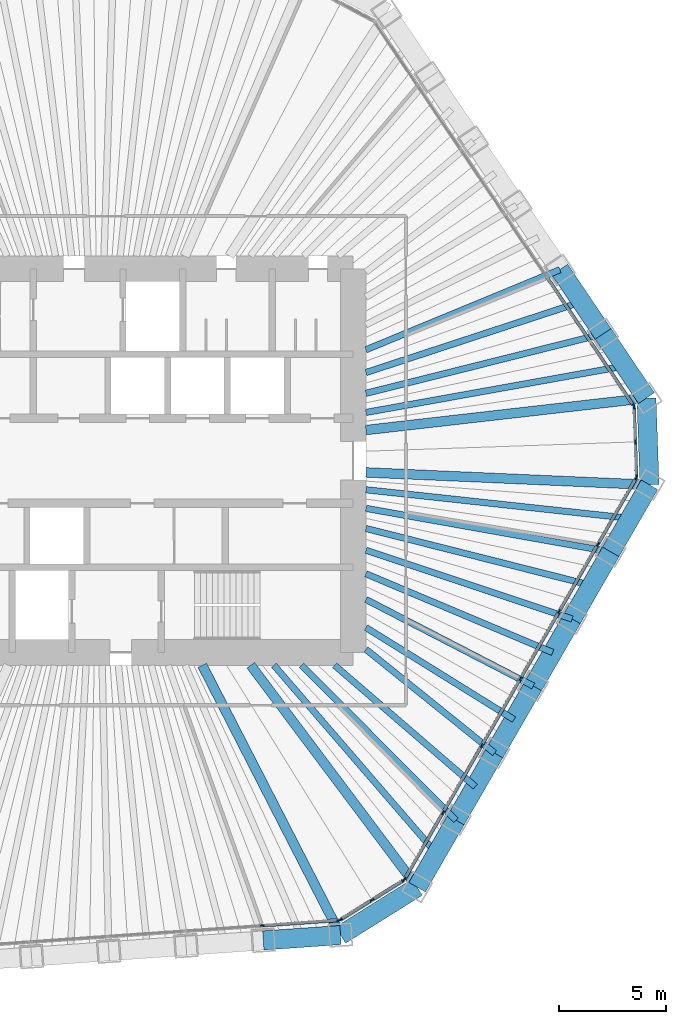
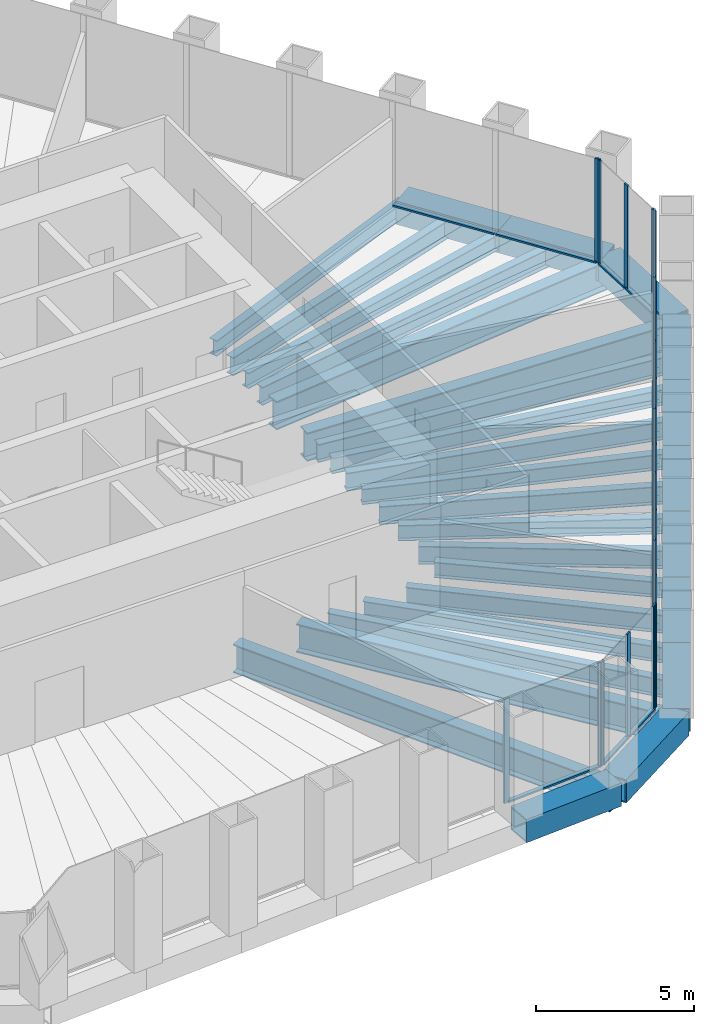
# One storey, part 4 of 13: 30 beams, 29 members, 5 elements without a shape of their own.
"""IFC4 building model written with IfcOpenShell, lengths in metres."""

from ifc_helpers import new_model, si_unit, direction, frame, origin, origin_2d, place, context, subcontext, project, spatial, rectangle, hollow_rectangle, i_section, extrude, material, material_profile, profile_set, type_object, element, aggregate, save


model = new_model("IFC4")

# Units and contexts
model_context = context("Model", 3, precision=1e-05, world=origin(), true_north=direction((0.0, 1.0)))
body_context = subcontext(model_context, "Body", "Model", "MODEL_VIEW")
ifc_project = project(units=[si_unit("LENGTHUNIT", "METRE"), si_unit("AREAUNIT", "SQUARE_METRE"), si_unit("VOLUMEUNIT", "CUBIC_METRE"), si_unit("PLANEANGLEUNIT", "RADIAN"), si_unit("MASSUNIT", "GRAM", prefix="KILO")], contexts=[model_context])

# Site, building, storey
site_placement = place(None, origin())
site = spatial("IfcSite", under=ifc_project, at=site_placement, CompositionType="ELEMENT")
building_placement = place(site_placement, origin())
building = spatial("IfcBuilding", under=site, at=building_placement, Name="Qingtian Harvest Tower", CompositionType="ELEMENT")
storey_placement = place(building_placement, frame((0.0, 0.0, 188.800048828125)))
storey = spatial("IfcBuildingStorey", under=building, at=storey_placement, Name="L40", CompositionType="ELEMENT", Elevation=188.800048828125)

# Beams
ifc_material_1 = material(Name="Steel SM570MC", Category="steel")
ifc_material_profile_1 = material_profile(ifc_material_1, i_section(OverallWidth=0.449951171875, OverallDepth=1.10009765625, WebThickness=0.02197265625, FlangeThickness=0.044921875, at=origin_2d()), Name="H1100x450x22x45")
ifc_profile_set_1 = profile_set([ifc_material_profile_1], Name="Steel SM570MC")
beam_type_1 = type_object("IfcBeamType", Name="Corner floor beam FB8 H1100x450x22x45", PredefinedType="BEAM", material=ifc_profile_set_1)
beam_1_placement = place(storey_placement, frame((25.762451171875, 2.936279296875, -0.719970703125), z_axis=(-0.993566901619, -0.113246686522, 0.0), x_axis=(0.113246686522, -0.993566901619, 0.0)))
element("IfcBeam", 1, at=beam_1_placement, inside=storey, type_object=beam_type_1, Name="Floor beam FB8 NE6", PredefinedType="BEAM", context=body_context, shape_type="SweptSolid", body=[
    extrude(i_section(OverallWidth=0.449951171875, OverallDepth=1.10009765625, WebThickness=0.02197265625, FlangeThickness=0.044921875, at=origin_2d()), origin(), (0.0, 0.0, 1.0), 13.24755859375),
])
beam_2_placement = place(storey_placement, frame((25.904541015625, -1.1318359375, -0.719970703125), z_axis=(-0.999046865424, 0.043650437408, 0.0), x_axis=(-0.043650437408, -0.999046865424, 0.0)))
element("IfcBeam", 2, at=beam_2_placement, inside=storey, type_object=beam_type_1, Name="Floor beam FB8 SE0", PredefinedType="BEAM", context=body_context, shape_type="SweptSolid", body=[
    extrude(i_section(OverallWidth=0.449951171875, OverallDepth=1.10009765625, WebThickness=0.02197265625, FlangeThickness=0.044921875, at=origin_2d()), origin(), (0.0, 0.0, 1.0), 13.317138671875),
])
beam_3_placement = place(storey_placement, frame((15.00390625, -20.012451171875, -0.719970703125), z_axis=(-0.599858913609, 0.800105795357, 0.0), x_axis=(-0.800105795357, -0.599858913609, 0.0)))
element("IfcBeam", 3, at=beam_3_placement, inside=storey, type_object=beam_type_1, Name="Floor beam FB8 SE6", PredefinedType="BEAM", context=body_context, shape_type="SweptSolid", body=[
    extrude(i_section(OverallWidth=0.449951171875, OverallDepth=1.10009765625, WebThickness=0.02197265625, FlangeThickness=0.044921875, at=origin_2d()), origin(), (0.0, 0.0, 1.0), 13.013671875),
])
beam_4_placement = place(storey_placement, frame((11.40966796875, -22.25830078125, -0.719970703125), z_axis=(-0.456157396608, 0.889899111989, 0.0), x_axis=(-0.889899111989, -0.456157396608, 0.0)))
element("IfcBeam", 4, at=beam_4_placement, inside=storey, type_object=beam_type_1, Name="Floor beam FB8 S0", PredefinedType="BEAM", context=body_context, shape_type="SweptSolid", body=[
    extrude(i_section(OverallWidth=0.449951171875, OverallDepth=1.10009765625, WebThickness=0.02197265625, FlangeThickness=0.044921875, at=origin_2d()), origin(), (0.0, 0.0, 1.0), 14.224365234375),
])
ifc_material_2 = material(Name="Steel SN490B", Category="steel")
ifc_material_profile_2 = material_profile(ifc_material_2, i_section(OverallWidth=0.300048828125, OverallDepth=0.60009765625, WebThickness=0.011962890625, FlangeThickness=0.02001953125, at=origin_2d()), Name="H600x300x12x20")
ifc_profile_set_2 = profile_set([ifc_material_profile_2], Name="Steel SN490B")
beam_type_2 = type_object("IfcBeamType", Name="Floor beam FB3 H600x300x12x20", PredefinedType="BEAM", material=ifc_profile_set_2)
beam_5_placement = place(storey_placement, frame((21.69873046875, 8.9609375, -0.469970703125), z_axis=(-0.924281590361, -0.381711332973, 0.0), x_axis=(0.381711332973, -0.924281590361, 0.0)))
element("IfcBeam", 5, at=beam_5_placement, inside=storey, type_object=beam_type_2, Name="Floor beam FB3 NE4", PredefinedType="BEAM", context=body_context, shape_type="SweptSolid", body=[
    extrude(i_section(OverallWidth=0.300048828125, OverallDepth=0.60009765625, WebThickness=0.011962890625, FlangeThickness=0.02001953125, at=origin_2d()), origin(), (0.0, 0.0, 1.0), 9.843994140625),
])
beam_6_placement = place(storey_placement, frame((23.730712890625, 5.948486328125, -0.469970703125), z_axis=(-0.969990876487, -0.243141315972, 0.0), x_axis=(0.243141315972, -0.969990876487, 0.0)))
element("IfcBeam", 6, at=beam_6_placement, inside=storey, type_object=beam_type_2, Name="Floor beam FB3 NE5", PredefinedType="BEAM", context=body_context, shape_type="SweptSolid", body=[
    extrude(i_section(OverallWidth=0.300048828125, OverallDepth=0.60009765625, WebThickness=0.011962890625, FlangeThickness=0.02001953125, at=origin_2d()), origin(), (0.0, 0.0, 1.0), 11.474853515625),
])
beam_7_placement = place(storey_placement, frame((24.087890625, -4.27880859375, -0.469970703125), z_axis=(-0.98458469654, 0.174908477034, 0.0), x_axis=(-0.174908477034, -0.98458469654, 0.0)))
element("IfcBeam", 7, at=beam_7_placement, inside=storey, type_object=beam_type_2, Name="Floor beam FB3 SE1", PredefinedType="BEAM", context=body_context, shape_type="SweptSolid", body=[
    extrude(i_section(OverallWidth=0.300048828125, OverallDepth=0.60009765625, WebThickness=0.011962890625, FlangeThickness=0.02001953125, at=origin_2d()), origin(), (0.0, 0.0, 1.0), 11.667724609375),
])
beam_8_placement = place(storey_placement, frame((22.27099609375, -7.425537109375, -0.469970703125), z_axis=(-0.948654555734, 0.316313979908, 0.0), x_axis=(-0.316313979908, -0.948654555734, 0.0)))
element("IfcBeam", 8, at=beam_8_placement, inside=storey, type_object=beam_type_2, Name="Floor beam FB3 SE2", PredefinedType="BEAM", context=body_context, shape_type="SweptSolid", body=[
    extrude(i_section(OverallWidth=0.300048828125, OverallDepth=0.60009765625, WebThickness=0.011962890625, FlangeThickness=0.02001953125, at=origin_2d()), origin(), (0.0, 0.0, 1.0), 10.1943359375),
])
beam_9_placement = place(storey_placement, frame((20.454345703125, -10.572265625, -0.469970703125), z_axis=(-0.888343501027, 0.459179511938, 0.0), x_axis=(-0.459179511938, -0.888343501027, 0.0)))
element("IfcBeam", 9, at=beam_9_placement, inside=storey, type_object=beam_type_2, Name="Floor beam FB3 SE3", PredefinedType="BEAM", context=body_context, shape_type="SweptSolid", body=[
    extrude(i_section(OverallWidth=0.300048828125, OverallDepth=0.60009765625, WebThickness=0.011962890625, FlangeThickness=0.02001953125, at=origin_2d()), origin(), (0.0, 0.0, 1.0), 8.841552734375),
])
beam_10_placement = place(storey_placement, frame((18.637451171875, -13.718994140625, -0.469970703125), z_axis=(-0.77840907003, 0.62775737327, 0.0), x_axis=(-0.62775737327, -0.77840907003, 0.0)))
element("IfcBeam", 10, at=beam_10_placement, inside=storey, type_object=beam_type_2, Name="Floor beam FB3 SE4", PredefinedType="BEAM", context=body_context, shape_type="SweptSolid", body=[
    extrude(i_section(OverallWidth=0.300048828125, OverallDepth=0.60009765625, WebThickness=0.011962890625, FlangeThickness=0.02001953125, at=origin_2d()), origin(), (0.0, 0.0, 1.0), 7.756103515625),
])
beam_11_placement = place(storey_placement, frame((16.82080078125, -16.86572265625, -0.469970703125), z_axis=(-0.70616637797, 0.708045935392, 0.0), x_axis=(-0.708045935392, -0.70616637797, 0.0)))
element("IfcBeam", 11, at=beam_11_placement, inside=storey, type_object=beam_type_2, Name="Floor beam FB3 SE5", PredefinedType="BEAM", context=body_context, shape_type="SweptSolid", body=[
    extrude(i_section(OverallWidth=0.300048828125, OverallDepth=0.60009765625, WebThickness=0.011962890625, FlangeThickness=0.02001953125, at=origin_2d()), origin(), (0.0, 0.0, 1.0), 10.261474609375),
])
ifc_material_3 = material(Name="Steel SN490B", Category="steel")
ifc_material_profile_3 = material_profile(ifc_material_3, i_section(OverallWidth=0.300048828125, OverallDepth=0.699951171875, WebThickness=0.012939453125, FlangeThickness=0.02392578125, at=origin_2d()), Name="H700x300x13x24")
ifc_profile_set_3 = profile_set([ifc_material_profile_3], Name="Steel SN490B")
beam_type_3 = type_object("IfcBeamType", Name="Floor joist J2 H700x300x13x24", PredefinedType="JOIST", material=ifc_profile_set_3)
beam_12_placement = place(storey_placement, frame((22.71484375, 7.454833984375, -0.52001953125), z_axis=(-0.950138567513, -0.311828001508, 0.0), x_axis=(0.311828001508, -0.950138567513, 0.0)))
element("IfcBeam", 12, at=beam_12_placement, inside=storey, type_object=beam_type_3, Name="Floor joist J2 NE4", PredefinedType="JOIST", context=body_context, shape_type="SweptSolid", body=[
    extrude(i_section(OverallWidth=0.300048828125, OverallDepth=0.699951171875, WebThickness=0.012939453125, FlangeThickness=0.02392578125, at=origin_2d()), origin(), (0.0, 0.0, 1.0), 10.6455078125),
])
beam_13_placement = place(storey_placement, frame((24.74658203125, 4.4423828125, -0.52001953125), z_axis=(-0.98426723745, -0.176686177393, 0.0), x_axis=(0.176686177393, -0.98426723745, 0.0)))
element("IfcBeam", 13, at=beam_13_placement, inside=storey, type_object=beam_type_3, Name="Floor joist J2 NE5", PredefinedType="JOIST", context=body_context, shape_type="SweptSolid", body=[
    extrude(i_section(OverallWidth=0.300048828125, OverallDepth=0.699951171875, WebThickness=0.012939453125, FlangeThickness=0.02392578125, at=origin_2d()), origin(), (0.0, 0.0, 1.0), 12.340576171875),
])
beam_14_placement = place(storey_placement, frame((24.99609375, -2.705322265625, -0.52001953125), z_axis=(-0.994194656298, 0.107596400448, 0.0), x_axis=(-0.107596400448, -0.994194656298, 0.0)))
element("IfcBeam", 14, at=beam_14_placement, inside=storey, type_object=beam_type_3, Name="Floor joist J2 SE0", PredefinedType="JOIST", context=body_context, shape_type="SweptSolid", body=[
    extrude(i_section(OverallWidth=0.300048828125, OverallDepth=0.699951171875, WebThickness=0.012939453125, FlangeThickness=0.02392578125, at=origin_2d()), origin(), (0.0, 0.0, 1.0), 12.46826171875),
])
beam_15_placement = place(storey_placement, frame((23.179443359375, -5.85205078125, -0.52001953125), z_axis=(-0.969577887027, 0.244783007963, 0.0), x_axis=(-0.244783007963, -0.969577887027, 0.0)))
element("IfcBeam", 15, at=beam_15_placement, inside=storey, type_object=beam_type_3, Name="Floor joist J2 SE1", PredefinedType="JOIST", context=body_context, shape_type="SweptSolid", body=[
    extrude(i_section(OverallWidth=0.300048828125, OverallDepth=0.699951171875, WebThickness=0.012939453125, FlangeThickness=0.02392578125, at=origin_2d()), origin(), (0.0, 0.0, 1.0), 10.911376953125),
])
beam_16_placement = place(storey_placement, frame((21.362548828125, -8.998779296875, -0.52001953125), z_axis=(-0.921571079516, 0.388209666803, 0.0), x_axis=(-0.388209666803, -0.921571079516, 0.0)))
element("IfcBeam", 16, at=beam_16_placement, inside=storey, type_object=beam_type_3, Name="Floor joist J2 SE2", PredefinedType="JOIST", context=body_context, shape_type="SweptSolid", body=[
    extrude(i_section(OverallWidth=0.300048828125, OverallDepth=0.699951171875, WebThickness=0.012939453125, FlangeThickness=0.02392578125, at=origin_2d()), origin(), (0.0, 0.0, 1.0), 9.508056640625),
])
beam_17_placement = place(storey_placement, frame((19.5458984375, -12.1455078125, -0.52001953125), z_axis=(-0.849380822906, 0.527780463526, 0.0), x_axis=(-0.527780463526, -0.849380822906, 0.0)))
element("IfcBeam", 17, at=beam_17_placement, inside=storey, type_object=beam_type_3, Name="Floor joist J2 SE3", PredefinedType="JOIST", context=body_context, shape_type="SweptSolid", body=[
    extrude(i_section(OverallWidth=0.300048828125, OverallDepth=0.699951171875, WebThickness=0.012939453125, FlangeThickness=0.02392578125, at=origin_2d()), origin(), (0.0, 0.0, 1.0), 8.177490234375),
])
beam_18_placement = place(storey_placement, frame((17.72900390625, -15.292236328125, -0.52001953125), z_axis=(-0.757237954988, 0.653139096613, 0.0), x_axis=(-0.653139096613, -0.757237954988, 0.0)))
element("IfcBeam", 18, at=beam_18_placement, inside=storey, type_object=beam_type_3, Name="Floor joist J2 SE4", PredefinedType="JOIST", context=body_context, shape_type="SweptSolid", body=[
    extrude(i_section(OverallWidth=0.300048828125, OverallDepth=0.699951171875, WebThickness=0.012939453125, FlangeThickness=0.02392578125, at=origin_2d()), origin(), (0.0, 0.0, 1.0), 8.715087890625),
])
beam_19_placement = place(storey_placement, frame((15.912353515625, -18.43896484375, -0.52001953125), z_axis=(-0.653343257086, 0.757061812813, 0.0), x_axis=(-0.757061812813, -0.653343257086, 0.0)))
element("IfcBeam", 19, at=beam_19_placement, inside=storey, type_object=beam_type_3, Name="Floor joist J2 SE5", PredefinedType="JOIST", context=body_context, shape_type="SweptSolid", body=[
    extrude(i_section(OverallWidth=0.300048828125, OverallDepth=0.699951171875, WebThickness=0.012939453125, FlangeThickness=0.02392578125, at=origin_2d()), origin(), (0.0, 0.0, 1.0), 11.67529296875),
])

# Curtain wall, member
ifc_material_4 = material(Name="Bronze-anodised aluminium curtain wall", Category="aluminium")
curtain_wall_type = type_object("IfcCurtainWallType", Name="Curtain wall CW4 office", PredefinedType="USERDEFINED", material=ifc_material_4)
curtain_wall_1_placement = place(storey_placement, origin())
curtain_wall_1 = element("IfcCurtainWall", 20, at=curtain_wall_1_placement, inside=storey, type_object=curtain_wall_type, Name="Curtain wall CW4 L40 NE0-5", ObjectType="RECESSED CURTAIN WALL", PredefinedType="USERDEFINED")
ifc_material_5 = material(Name="Bronze-anodised aluminium mullion", Category="aluminium")
ifc_material_profile_4 = material_profile(ifc_material_5, rectangle(XDim=0.06494140625, YDim=0.199951171875, at=origin_2d()), Name="AL 65x200")
ifc_profile_set_4 = profile_set([ifc_material_profile_4], Name="Bronze-anodised aluminium mullion")
member_type_1 = type_object("IfcMemberType", Name="Mullion CWM 65x200", PredefinedType="MULLION", material=ifc_profile_set_4)
member_1_placement = place(storey_placement, frame((25.1640625, 2.57177734375, 0.0), z_axis=(0.0, 0.0, 1.0), x_axis=(0.829037572555, 0.559192903471, 0.0)))
member_1 = element("IfcMember", 21, at=member_1_placement, type_object=member_type_1, Name="CW4 mullion 7", PredefinedType="MULLION", context=body_context, shape_type="SweptSolid", body=[
    extrude(rectangle(XDim=0.06494140625, YDim=0.199951171875, at=origin_2d()), origin(), (0.0, 0.0, 1.0), 4.030029296875),
])

# Curtain wall, members
curtain_wall_2_placement = place(storey_placement, origin())
curtain_wall_2 = element("IfcCurtainWall", 22, at=curtain_wall_2_placement, inside=storey, type_object=curtain_wall_type, Name="Curtain wall CW4 L40 NEC", ObjectType="RECESSED CURTAIN WALL", PredefinedType="USERDEFINED")
member_2_placement = place(storey_placement, frame((25.183349609375, 2.51220703125, 0.0), z_axis=(0.0, 0.0, 1.0), x_axis=(0.999390827019, 0.034899496703, 0.0)))
member_2 = element("IfcMember", 23, at=member_2_placement, type_object=member_type_1, Name="CW4 mullion 1", PredefinedType="MULLION", context=body_context, shape_type="SweptSolid", body=[
    extrude(rectangle(XDim=0.06494140625, YDim=0.199951171875, at=origin_2d()), origin(), (0.0, 0.0, 1.0), 4.030029296875),
])
member_3_placement = place(storey_placement, frame((25.240234375, 0.88134765625, 0.0), z_axis=(0.0, 0.0, 1.0), x_axis=(0.999390827019, 0.034899496703, 0.0)))
member_3 = element("IfcMember", 24, at=member_3_placement, type_object=member_type_1, Name="CW4 mullion 2", PredefinedType="MULLION", context=body_context, shape_type="SweptSolid", body=[
    extrude(rectangle(XDim=0.06494140625, YDim=0.199951171875, at=origin_2d()), origin(), (0.0, 0.0, 1.0), 4.030029296875),
])
member_4_placement = place(storey_placement, frame((25.297119140625, -0.74951171875, 0.0), z_axis=(0.0, 0.0, 1.0), x_axis=(0.999390827019, 0.034899496703, 0.0)))
member_4 = element("IfcMember", 25, at=member_4_placement, type_object=member_type_1, Name="CW4 mullion 3", PredefinedType="MULLION", context=body_context, shape_type="SweptSolid", body=[
    extrude(rectangle(XDim=0.06494140625, YDim=0.199951171875, at=origin_2d()), origin(), (0.0, 0.0, 1.0), 4.030029296875),
])

curtain_wall_3_placement = place(storey_placement, origin())
curtain_wall_3 = element("IfcCurtainWall", 26, at=curtain_wall_3_placement, inside=storey, type_object=curtain_wall_type, Name="Curtain wall CW4 L40 SE0-5", ObjectType="RECESSED CURTAIN WALL", PredefinedType="USERDEFINED")
member_5_placement = place(storey_placement, frame((25.2822265625, -0.81005859375, 0.0), z_axis=(0.0, 0.0, 1.0), x_axis=(0.866025403784, -0.5, 0.0)))
member_5 = element("IfcMember", 27, at=member_5_placement, type_object=member_type_1, Name="CW4 mullion 1", PredefinedType="MULLION", context=body_context, shape_type="SweptSolid", body=[
    extrude(rectangle(XDim=0.06494140625, YDim=0.199951171875, at=origin_2d()), origin(), (0.0, 0.0, 1.0), 4.030029296875),
])
member_6_placement = place(storey_placement, frame((23.481689453125, -3.9287109375, 0.0), z_axis=(0.0, 0.0, 1.0), x_axis=(0.866025403784, -0.5, 0.0)))
member_6 = element("IfcMember", 28, at=member_6_placement, type_object=member_type_1, Name="CW4 mullion 2", PredefinedType="MULLION", context=body_context, shape_type="SweptSolid", body=[
    extrude(rectangle(XDim=0.06494140625, YDim=0.199951171875, at=origin_2d()), origin(), (0.0, 0.0, 1.0), 4.030029296875),
])
member_7_placement = place(storey_placement, frame((21.664794921875, -7.075439453125, 0.0), z_axis=(0.0, 0.0, 1.0), x_axis=(0.866025403784, -0.5, 0.0)))
member_7 = element("IfcMember", 29, at=member_7_placement, type_object=member_type_1, Name="CW4 mullion 3", PredefinedType="MULLION", context=body_context, shape_type="SweptSolid", body=[
    extrude(rectangle(XDim=0.06494140625, YDim=0.199951171875, at=origin_2d()), origin(), (0.0, 0.0, 1.0), 4.030029296875),
])
member_8_placement = place(storey_placement, frame((19.84814453125, -10.22216796875, 0.0), z_axis=(0.0, 0.0, 1.0), x_axis=(0.866025403784, -0.5, 0.0)))
member_8 = element("IfcMember", 30, at=member_8_placement, type_object=member_type_1, Name="CW4 mullion 4", PredefinedType="MULLION", context=body_context, shape_type="SweptSolid", body=[
    extrude(rectangle(XDim=0.06494140625, YDim=0.199951171875, at=origin_2d()), origin(), (0.0, 0.0, 1.0), 4.030029296875),
])
member_9_placement = place(storey_placement, frame((18.03125, -13.368896484375, 0.0), z_axis=(0.0, 0.0, 1.0), x_axis=(0.866025403784, -0.5, 0.0)))
member_9 = element("IfcMember", 31, at=member_9_placement, type_object=member_type_1, Name="CW4 mullion 5", PredefinedType="MULLION", context=body_context, shape_type="SweptSolid", body=[
    extrude(rectangle(XDim=0.06494140625, YDim=0.199951171875, at=origin_2d()), origin(), (0.0, 0.0, 1.0), 4.030029296875),
])
member_10_placement = place(storey_placement, frame((16.214599609375, -16.515625, 0.0), z_axis=(0.0, 0.0, 1.0), x_axis=(0.866025403784, -0.5, 0.0)))
member_10 = element("IfcMember", 32, at=member_10_placement, type_object=member_type_1, Name="CW4 mullion 6", PredefinedType="MULLION", context=body_context, shape_type="SweptSolid", body=[
    extrude(rectangle(XDim=0.06494140625, YDim=0.199951171875, at=origin_2d()), origin(), (0.0, 0.0, 1.0), 4.030029296875),
])
member_11_placement = place(storey_placement, frame((14.4140625, -19.63427734375, 0.0), z_axis=(0.0, 0.0, 1.0), x_axis=(0.866025403784, -0.5, 0.0)))
member_11 = element("IfcMember", 33, at=member_11_placement, type_object=member_type_1, Name="CW4 mullion 7", PredefinedType="MULLION", context=body_context, shape_type="SweptSolid", body=[
    extrude(rectangle(XDim=0.06494140625, YDim=0.199951171875, at=origin_2d()), origin(), (0.0, 0.0, 1.0), 4.030029296875),
])

curtain_wall_4_placement = place(storey_placement, origin())
curtain_wall_4 = element("IfcCurtainWall", 34, at=curtain_wall_4_placement, inside=storey, type_object=curtain_wall_type, Name="Curtain wall CW4 L40 SEC", ObjectType="RECESSED CURTAIN WALL", PredefinedType="USERDEFINED")
member_12_placement = place(storey_placement, frame((14.3701171875, -19.6796875, 0.0), z_axis=(0.0, 0.0, 1.0), x_axis=(0.529919264233, -0.848048096156, 0.0)))
member_12 = element("IfcMember", 35, at=member_12_placement, type_object=member_type_1, Name="CW4 mullion 1", PredefinedType="MULLION", context=body_context, shape_type="SweptSolid", body=[
    extrude(rectangle(XDim=0.06494140625, YDim=0.199951171875, at=origin_2d()), origin(), (0.0, 0.0, 1.0), 4.030029296875),
])
member_13_placement = place(storey_placement, frame((12.87939453125, -20.611328125, 0.0), z_axis=(0.0, 0.0, 1.0), x_axis=(0.529919264233, -0.848048096156, 0.0)))
member_13 = element("IfcMember", 36, at=member_13_placement, type_object=member_type_1, Name="CW4 mullion 2", PredefinedType="MULLION", context=body_context, shape_type="SweptSolid", body=[
    extrude(rectangle(XDim=0.06494140625, YDim=0.199951171875, at=origin_2d()), origin(), (0.0, 0.0, 1.0), 4.030029296875),
])
member_14_placement = place(storey_placement, frame((11.388427734375, -21.542724609375, 0.0), z_axis=(0.0, 0.0, 1.0), x_axis=(0.529919264233, -0.848048096156, 0.0)))
member_14 = element("IfcMember", 37, at=member_14_placement, type_object=member_type_1, Name="CW4 mullion 3", PredefinedType="MULLION", context=body_context, shape_type="SweptSolid", body=[
    extrude(rectangle(XDim=0.06494140625, YDim=0.199951171875, at=origin_2d()), origin(), (0.0, 0.0, 1.0), 4.030029296875),
])

curtain_wall_5_placement = place(storey_placement, origin())
curtain_wall_5 = element("IfcCurtainWall", 38, at=curtain_wall_5_placement, inside=storey, type_object=curtain_wall_type, Name="Curtain wall CW4 L40 S0-5", ObjectType="RECESSED CURTAIN WALL", PredefinedType="USERDEFINED")
member_15_placement = place(storey_placement, frame((11.32861328125, -21.562255859375, 0.0), z_axis=(0.0, 0.0, 1.0), x_axis=(0.069756473744, -0.99756405026, 0.0)))
member_15 = element("IfcMember", 39, at=member_15_placement, type_object=member_type_1, Name="CW4 mullion 1", PredefinedType="MULLION", context=body_context, shape_type="SweptSolid", body=[
    extrude(rectangle(XDim=0.06494140625, YDim=0.199951171875, at=origin_2d()), origin(), (0.0, 0.0, 1.0), 4.030029296875),
])
member_16_placement = place(storey_placement, frame((7.736328125, -21.8134765625, 0.0), z_axis=(0.0, 0.0, 1.0), x_axis=(0.069756473744, -0.99756405026, 0.0)))
member_16 = element("IfcMember", 40, at=member_16_placement, type_object=member_type_1, Name="CW4 mullion 2", PredefinedType="MULLION", context=body_context, shape_type="SweptSolid", body=[
    extrude(rectangle(XDim=0.06494140625, YDim=0.199951171875, at=origin_2d()), origin(), (0.0, 0.0, 1.0), 4.030029296875),
])

# Beams
ifc_material_6 = material(Name="Steel SM570MC", Category="steel")
ifc_material_profile_5 = material_profile(ifc_material_6, hollow_rectangle(XDim=0.89990234375, YDim=0.89990234375, WallThickness=0.050048828125, at=origin_2d()), Name="BOX900x900x50")
ifc_profile_set_5 = profile_set([ifc_material_profile_5], Name="Steel SM570MC")
beam_type_4 = type_object("IfcBeamType", Name="Transition spandrel SB6 BOX900x900x50", PredefinedType="SPANDREL", material=ifc_profile_set_5)
beam_20_placement = place(storey_placement, frame((21.69873046875, 8.9609375, -0.449951171875), z_axis=(0.55920395902, -0.829030115385, 0.0), x_axis=(0.829030115385, 0.55920395902, 0.0)))
element("IfcBeam", 41, at=beam_20_placement, inside=storey, type_object=beam_type_4, Name="Spandrel SB6 NE4", PredefinedType="SPANDREL", context=body_context, shape_type="SweptSolid", body=[
    extrude(hollow_rectangle(XDim=0.89990234375, YDim=0.89990234375, WallThickness=0.050048828125, at=origin_2d()), origin(), (0.0, 0.0, 1.0), 3.6337890625),
])
beam_21_placement = place(storey_placement, frame((23.730712890625, 5.948486328125, -0.449951171875), z_axis=(0.559188928021, -0.829040254016, 0.0), x_axis=(0.829040254016, 0.559188928021, 0.0)))
element("IfcBeam", 42, at=beam_21_placement, inside=storey, type_object=beam_type_4, Name="Spandrel SB6 NE5", PredefinedType="SPANDREL", context=body_context, shape_type="SweptSolid", body=[
    extrude(hollow_rectangle(XDim=0.89990234375, YDim=0.89990234375, WallThickness=0.050048828125, at=origin_2d()), origin(), (0.0, 0.0, 1.0), 3.63330078125),
])
beam_22_placement = place(storey_placement, frame((25.762451171875, 2.936279296875, -0.449951171875), z_axis=(0.03490639867, -0.999390585973, 0.0), x_axis=(0.999390585973, 0.03490639867, 0.0)))
element("IfcBeam", 43, at=beam_22_placement, inside=storey, type_object=beam_type_4, Name="Spandrel SB6 NEC", PredefinedType="SPANDREL", context=body_context, shape_type="SweptSolid", body=[
    extrude(hollow_rectangle(XDim=0.89990234375, YDim=0.89990234375, WallThickness=0.050048828125, at=origin_2d()), origin(), (0.0, 0.0, 1.0), 4.070556640625),
])
beam_23_placement = place(storey_placement, frame((25.904541015625, -1.1318359375, -0.449951171875), z_axis=(-0.499947341849, -0.866055803848, 0.0), x_axis=(0.866055803848, -0.499947341849, 0.0)))
element("IfcBeam", 44, at=beam_23_placement, inside=storey, type_object=beam_type_4, Name="Spandrel SB6 SE0", PredefinedType="SPANDREL", context=body_context, shape_type="SweptSolid", body=[
    extrude(hollow_rectangle(XDim=0.89990234375, YDim=0.89990234375, WallThickness=0.050048828125, at=origin_2d()), origin(), (0.0, 0.0, 1.0), 3.6337890625),
])
for number, where, z_axis, x_axis, name in (
    (45, (24.087890625, -4.27880859375, -0.449951171875), (-0.500026827678, -0.866009914263, 0.0), (0.866009914263, -0.500026827678, 0.0), "Spandrel SB6 SE1"),
    (46, (22.27099609375, -7.425537109375, -0.449951171875), (-0.499976434558, -0.866039008871, 0.0), (0.866039008871, -0.499976434558, 0.0), "Spandrel SB6 SE2"),
    (47, (20.454345703125, -10.572265625, -0.449951171875), (-0.500026827678, -0.866009914263, 0.0), (0.866009914263, -0.500026827678, 0.0), "Spandrel SB6 SE3"),
    (48, (18.637451171875, -13.718994140625, -0.449951171875), (-0.499976434558, -0.866039008871, 0.0), (0.866039008871, -0.499976434558, 0.0), "Spandrel SB6 SE4"),
    (49, (16.82080078125, -16.86572265625, -0.449951171875), (-0.500026827678, -0.866009914263, 0.0), (0.866009914263, -0.500026827678, 0.0), "Spandrel SB6 SE5"),
):
    element("IfcBeam", number, at=place(storey_placement, frame(where, z_axis=z_axis, x_axis=x_axis)), inside=storey, type_object=beam_type_4, Name=name, PredefinedType="SPANDREL", context=body_context, shape_type="SweptSolid", body=[
        extrude(hollow_rectangle(XDim=0.89990234375, YDim=0.89990234375, WallThickness=0.050048828125, at=origin_2d()), origin(), (0.0, 0.0, 1.0), 3.633544921875),
    ])
beam_24_placement = place(storey_placement, frame((15.00390625, -20.012451171875, -0.449951171875), z_axis=(-0.848056550838, -0.529905733675, 0.0), x_axis=(0.529905733675, -0.848056550838, 0.0)))
element("IfcBeam", 50, at=beam_24_placement, inside=storey, type_object=beam_type_4, Name="Spandrel SB6 SEC", PredefinedType="SPANDREL", context=body_context, shape_type="SweptSolid", body=[
    extrude(hollow_rectangle(XDim=0.89990234375, YDim=0.89990234375, WallThickness=0.050048828125, at=origin_2d()), origin(), (0.0, 0.0, 1.0), 4.23828125),
])
beam_25_placement = place(storey_placement, frame((11.40966796875, -22.25830078125, -0.449951171875), z_axis=(-0.997564674207, -0.069747550305, 0.0), x_axis=(0.069747550305, -0.997564674207, 0.0)))
element("IfcBeam", 51, at=beam_25_placement, inside=storey, type_object=beam_type_4, Name="Spandrel SB6 S0", PredefinedType="SPANDREL", context=body_context, shape_type="SweptSolid", body=[
    extrude(hollow_rectangle(XDim=0.89990234375, YDim=0.89990234375, WallThickness=0.050048828125, at=origin_2d()), origin(), (0.0, 0.0, 1.0), 3.63330078125),
])

# Member
ifc_material_7 = material(Name="Bronze-anodised aluminium transom", Category="aluminium")
ifc_material_profile_6 = material_profile(ifc_material_7, rectangle(XDim=0.14990234375, YDim=0.06494140625, at=origin_2d()), Name="AL 65x150")
ifc_profile_set_6 = profile_set([ifc_material_profile_6], Name="Bronze-anodised aluminium transom")
member_type_2 = type_object("IfcMemberType", Name="Transom CWT 65x150", PredefinedType="USERDEFINED", material=ifc_profile_set_6)
member_17_placement = place(storey_placement, frame((21.13671875, 8.54248046875, 0.032470703125), z_axis=(0.559160259871, -0.829059590006, 0.0), x_axis=(0.829059590006, 0.559160259871, 0.0)))
member_17 = element("IfcMember", 52, at=member_17_placement, type_object=member_type_2, Name="CW4 transom 5.1", ObjectType="TRANSOM", PredefinedType="USERDEFINED", context=body_context, shape_type="SweptSolid", body=[
    extrude(rectangle(XDim=0.14990234375, YDim=0.06494140625, at=origin_2d()), origin(), (0.0, 0.0, 1.0), 3.568603515625),
])

member_18_placement = place(storey_placement, frame((23.16845703125, 5.5302734375, 0.032470703125), z_axis=(0.559169259008, -0.829053520456, 0.0), x_axis=(0.829053520456, 0.559169259008, 0.0)))
member_18 = element("IfcMember", 53, at=member_18_placement, type_object=member_type_2, Name="CW4 transom 6.1", ObjectType="TRANSOM", PredefinedType="USERDEFINED", context=body_context, shape_type="SweptSolid", body=[
    extrude(rectangle(XDim=0.14990234375, YDim=0.06494140625, at=origin_2d()), origin(), (0.0, 0.0, 1.0), 3.5361328125),
])

aggregate(curtain_wall_1, [member_1, member_17, member_18])

member_19_placement = place(storey_placement, frame((25.1845703125, 2.479736328125, 0.032470703125), z_axis=(0.034902326647, -0.999390728191, 0.0), x_axis=(0.999390728191, 0.034902326647, 0.0)))
member_19 = element("IfcMember", 54, at=member_19_placement, type_object=member_type_2, Name="CW4 transom 1.1", ObjectType="TRANSOM", PredefinedType="USERDEFINED", context=body_context, shape_type="SweptSolid", body=[
    extrude(rectangle(XDim=0.14990234375, YDim=0.06494140625, at=origin_2d()), origin(), (0.0, 0.0, 1.0), 1.56689453125),
])

member_20_placement = place(storey_placement, frame((25.241455078125, 0.848876953125, 0.032470703125), z_axis=(0.034902326647, -0.999390728191, 0.0), x_axis=(0.999390728191, 0.034902326647, 0.0)))
member_20 = element("IfcMember", 55, at=member_20_placement, type_object=member_type_2, Name="CW4 transom 2.1", ObjectType="TRANSOM", PredefinedType="USERDEFINED", context=body_context, shape_type="SweptSolid", body=[
    extrude(rectangle(XDim=0.14990234375, YDim=0.06494140625, at=origin_2d()), origin(), (0.0, 0.0, 1.0), 1.56689453125),
])

aggregate(curtain_wall_2, [member_2, member_3, member_4, member_19, member_20])

member_21_placement = place(storey_placement, frame((25.265869140625, -0.838134765625, 0.032470703125), z_axis=(-0.499985409597, -0.866033827394, 0.0), x_axis=(0.866033827394, -0.499985409597, 0.0)))
member_21 = element("IfcMember", 56, at=member_21_placement, type_object=member_type_2, Name="CW4 transom 1.1", ObjectType="TRANSOM", PredefinedType="USERDEFINED", context=body_context, shape_type="SweptSolid", body=[
    extrude(rectangle(XDim=0.14990234375, YDim=0.06494140625, at=origin_2d()), origin(), (0.0, 0.0, 1.0), 3.5361328125),
])

member_22_placement = place(storey_placement, frame((23.46533203125, -3.956787109375, 0.032470703125), z_axis=(-0.499965259726, -0.866045460162, 0.0), x_axis=(0.866045460162, -0.499965259726, 0.0)))
member_22 = element("IfcMember", 57, at=member_22_placement, type_object=member_type_2, Name="CW4 transom 2.1", ObjectType="TRANSOM", PredefinedType="USERDEFINED", context=body_context, shape_type="SweptSolid", body=[
    extrude(rectangle(XDim=0.14990234375, YDim=0.06494140625, at=origin_2d()), origin(), (0.0, 0.0, 1.0), 3.568603515625),
])

member_23_placement = place(storey_placement, frame((21.648681640625, -7.103515625, 0.032470703125), z_axis=(-0.500016569533, -0.866015837149, 0.0), x_axis=(0.866015837149, -0.500016569533, 0.0)))
member_23 = element("IfcMember", 58, at=member_23_placement, type_object=member_type_2, Name="CW4 transom 3.1", ObjectType="TRANSOM", PredefinedType="USERDEFINED", context=body_context, shape_type="SweptSolid", body=[
    extrude(rectangle(XDim=0.14990234375, YDim=0.06494140625, at=origin_2d()), origin(), (0.0, 0.0, 1.0), 3.56884765625),
])

member_24_placement = place(storey_placement, frame((19.831787109375, -10.250244140625, 0.032470703125), z_axis=(-0.499965259726, -0.866045460162, 0.0), x_axis=(0.866045460162, -0.499965259726, 0.0)))
member_24 = element("IfcMember", 59, at=member_24_placement, type_object=member_type_2, Name="CW4 transom 4.1", ObjectType="TRANSOM", PredefinedType="USERDEFINED", context=body_context, shape_type="SweptSolid", body=[
    extrude(rectangle(XDim=0.14990234375, YDim=0.06494140625, at=origin_2d()), origin(), (0.0, 0.0, 1.0), 3.568603515625),
])

member_25_placement = place(storey_placement, frame((18.014892578125, -13.39697265625, 0.032470703125), z_axis=(-0.499965259726, -0.866045460162, 0.0), x_axis=(0.866045460162, -0.499965259726, 0.0)))
member_25 = element("IfcMember", 60, at=member_25_placement, type_object=member_type_2, Name="CW4 transom 5.1", ObjectType="TRANSOM", PredefinedType="USERDEFINED", context=body_context, shape_type="SweptSolid", body=[
    extrude(rectangle(XDim=0.14990234375, YDim=0.06494140625, at=origin_2d()), origin(), (0.0, 0.0, 1.0), 3.568603515625),
])

member_26_placement = place(storey_placement, frame((16.1982421875, -16.5439453125, 0.032470703125), z_axis=(-0.500015305566, -0.866016566931, 0.0), x_axis=(0.866016566931, -0.500015305566, 0.0)))
member_26 = element("IfcMember", 61, at=member_26_placement, type_object=member_type_2, Name="CW4 transom 6.1", ObjectType="TRANSOM", PredefinedType="USERDEFINED", context=body_context, shape_type="SweptSolid", body=[
    extrude(rectangle(XDim=0.14990234375, YDim=0.06494140625, at=origin_2d()), origin(), (0.0, 0.0, 1.0), 3.5361328125),
])

aggregate(curtain_wall_3, [member_5, member_6, member_7, member_8, member_9, member_10, member_11, member_21, member_22, member_23, member_24, member_25, member_26])

member_27_placement = place(storey_placement, frame((14.342529296875, -19.69677734375, 0.032470703125), z_axis=(-0.847998304005, -0.529998940003, 0.0), x_axis=(0.529998940003, -0.847998304005, 0.0)))
member_27 = element("IfcMember", 62, at=member_27_placement, type_object=member_type_2, Name="CW4 transom 1.1", ObjectType="TRANSOM", PredefinedType="USERDEFINED", context=body_context, shape_type="SweptSolid", body=[
    extrude(rectangle(XDim=0.14990234375, YDim=0.06494140625, at=origin_2d()), origin(), (0.0, 0.0, 1.0), 1.69287109375),
])

member_28_placement = place(storey_placement, frame((12.851806640625, -20.62841796875, 0.032470703125), z_axis=(-0.84803880708, -0.529934129573, 0.0), x_axis=(0.529934129573, -0.84803880708, 0.0)))
member_28 = element("IfcMember", 63, at=member_28_placement, type_object=member_type_2, Name="CW4 transom 2.1", ObjectType="TRANSOM", PredefinedType="USERDEFINED", context=body_context, shape_type="SweptSolid", body=[
    extrude(rectangle(XDim=0.14990234375, YDim=0.06494140625, at=origin_2d()), origin(), (0.0, 0.0, 1.0), 1.693115234375),
])

aggregate(curtain_wall_4, [member_12, member_13, member_14, member_27, member_28])

member_29_placement = place(storey_placement, frame((11.296142578125, -21.564453125, 0.032470703125), z_axis=(-0.997561034679, -0.069799585166, 0.0), x_axis=(0.069799585166, -0.997561034679, 0.0)))
member_29 = element("IfcMember", 64, at=member_29_placement, type_object=member_type_2, Name="CW4 transom 1.1", ObjectType="TRANSOM", PredefinedType="USERDEFINED", context=body_context, shape_type="SweptSolid", body=[
    extrude(rectangle(XDim=0.14990234375, YDim=0.06494140625, at=origin_2d()), origin(), (0.0, 0.0, 1.0), 3.5361328125),
])

aggregate(curtain_wall_5, [member_15, member_16, member_29])

save(model, "model.ifc")
